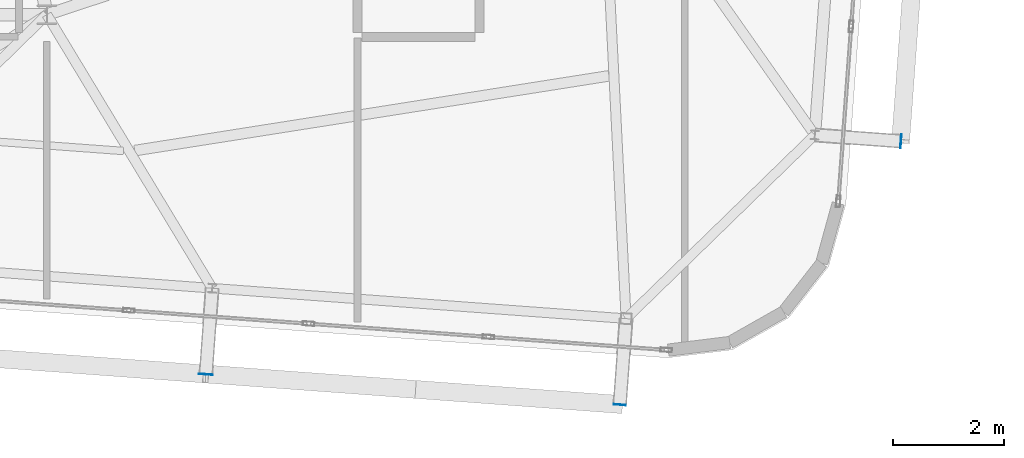
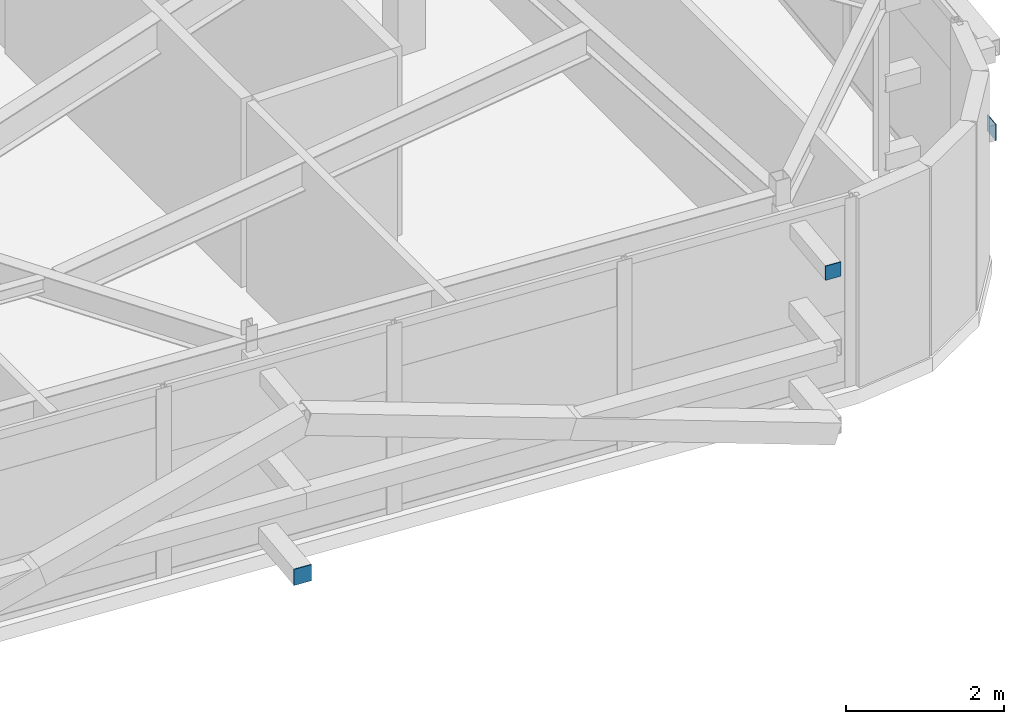
# One storey, part 34 of 42: 3 plates.
"""IFC4 building model written with IfcOpenShell, lengths in metres."""

from ifc_helpers import new_model, si_unit, direction, frame, origin, origin_2d, place, context, subcontext, project, spatial, rectangle, extrude, source, transform, mapped, material, layer, layer_set, type_object, element, save


model = new_model("IFC4")

# Units and contexts
model_context = context("Model", 3, precision=1e-05, world=origin(), true_north=direction((0.0, 1.0)))
body_context = subcontext(model_context, "Body", "Model", "MODEL_VIEW")
ifc_project = project(units=[si_unit("LENGTHUNIT", "METRE"), si_unit("AREAUNIT", "SQUARE_METRE"), si_unit("VOLUMEUNIT", "CUBIC_METRE"), si_unit("PLANEANGLEUNIT", "RADIAN"), si_unit("MASSUNIT", "GRAM", prefix="KILO")], contexts=[model_context])

# Site, building, storey
site_placement = place(None, origin())
site = spatial("IfcSite", under=ifc_project, at=site_placement, CompositionType="ELEMENT")
building_placement = place(site_placement, origin())
building = spatial("IfcBuilding", under=site, at=building_placement, Name="Taldren Reach Tower", CompositionType="ELEMENT")
storey_placement = place(building_placement, frame((0.0, 0.0, 214.550048828125)))
storey = spatial("IfcBuildingStorey", under=building, at=storey_placement, Name="L65", CompositionType="ELEMENT", Elevation=214.550048828125)

# Plates
ifc_material_1 = material(Name="Steel Gr 350 (C350L0)", Category="steel")
ifc_layer_1 = layer(ifc_material_1, 0.011962890625)
ifc_layer_set_1 = layer_set([ifc_layer_1], Name="Steel Gr 350 (C350L0)")
plate_type_1 = type_object("IfcPlateType", Name="PL-CAP-250", PredefinedType="SHEET", material=ifc_layer_set_1)
shared_shape_1 = source(origin(), body_context, "Body", "SweptSolid", [
    extrude(rectangle(XDim=0.25, YDim=0.011962890625, at=origin_2d()), origin(), (0.0, 0.0, 1.0), 0.25),
])
plate_1_placement = place(storey_placement, frame((44.866455078125, 2.717041015625, 0.094970703125), z_axis=(0.0, 0.0, 1.0), x_axis=(0.997314477224, -0.073238197128, 0.0)))
element("IfcPlate", 1, at=plate_1_placement, inside=storey, type_object=plate_type_1, Name="Tie strut end cap plate B5-S5 L65", PredefinedType="SHEET", context=body_context, shape_type="MappedRepresentation", body=[
    mapped(shared_shape_1, transform((0.0, 0.0, 0.0), scale=1.0)),
])
shared_shape_2 = source(origin(), body_context, "Body", "SweptSolid", [
    extrude(rectangle(XDim=0.011962890625, YDim=0.25, at=origin_2d()), origin(), (0.0, 0.0, 1.0), 0.25),
])
plate_2_placement = place(storey_placement, frame((57.3935546875, 6.9169921875, 0.094970703125), z_axis=(0.0, 0.0, 1.0), x_axis=(0.997314477224, -0.073238197128, 0.0)))
element("IfcPlate", 2, at=plate_2_placement, inside=storey, type_object=plate_type_1, Name="Tie strut end cap plate B5-E1 L65", PredefinedType="SHEET", context=body_context, shape_type="MappedRepresentation", body=[
    mapped(shared_shape_2, transform((0.0, 0.0, 0.0), scale=1.0)),
])
ifc_material_2 = material(Name="Steel Gr 450 (C450L0)", Category="steel")
ifc_layer_2 = layer(ifc_material_2, 0.011962890625)
ifc_layer_set_2 = layer_set([ifc_layer_2], Name="Steel Gr 450 (C450L0)")
plate_type_2 = type_object("IfcPlateType", Name="PL-CAP-220", PredefinedType="SHEET", material=ifc_layer_set_2)
shared_shape_3 = source(origin(), body_context, "Body", "SweptSolid", [
    extrude(rectangle(XDim=0.219970703125, YDim=0.011962890625, at=origin_2d()), origin(), (0.0, 0.0, 1.0), 0.219970703125),
])
plate_3_placement = place(storey_placement, frame((52.326171875, 2.169189453125, 2.5400390625), z_axis=(0.0, 0.0, 1.0), x_axis=(0.997314477224, -0.073238197128, 0.0)))
element("IfcPlate", 3, at=plate_3_placement, inside=storey, type_object=plate_type_2, Name="Tie strut end cap plate B5-S6 L65", PredefinedType="SHEET", context=body_context, shape_type="MappedRepresentation", body=[
    mapped(shared_shape_3, transform((0.0, 0.0, 0.0), scale=1.0)),
])

save(model, "model.ifc")
